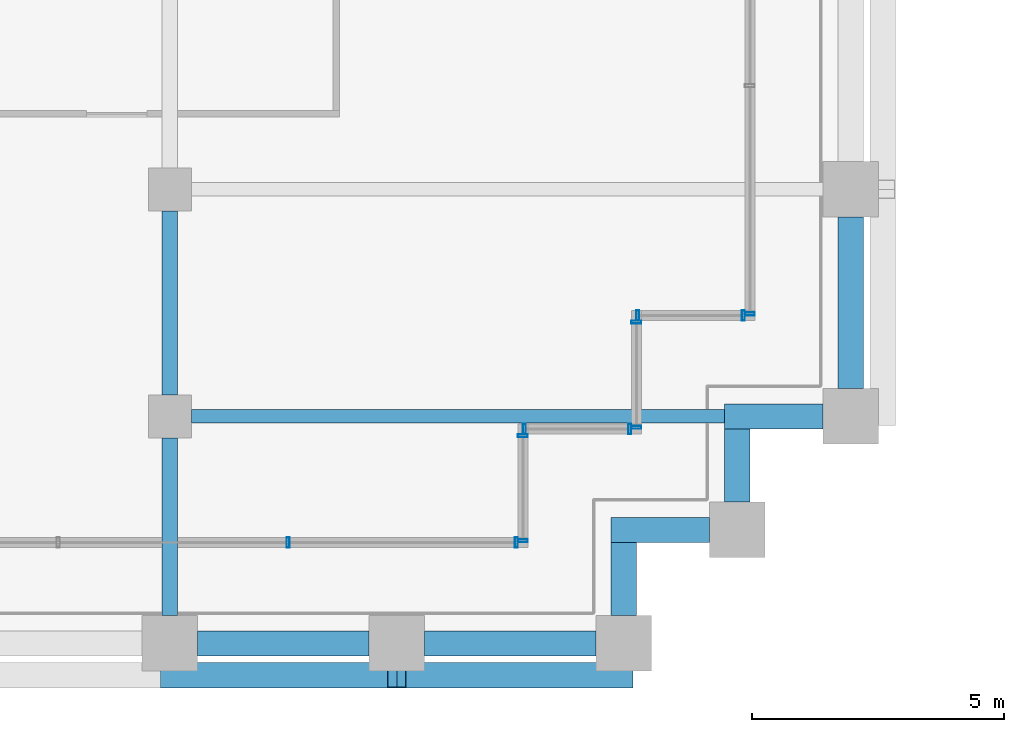
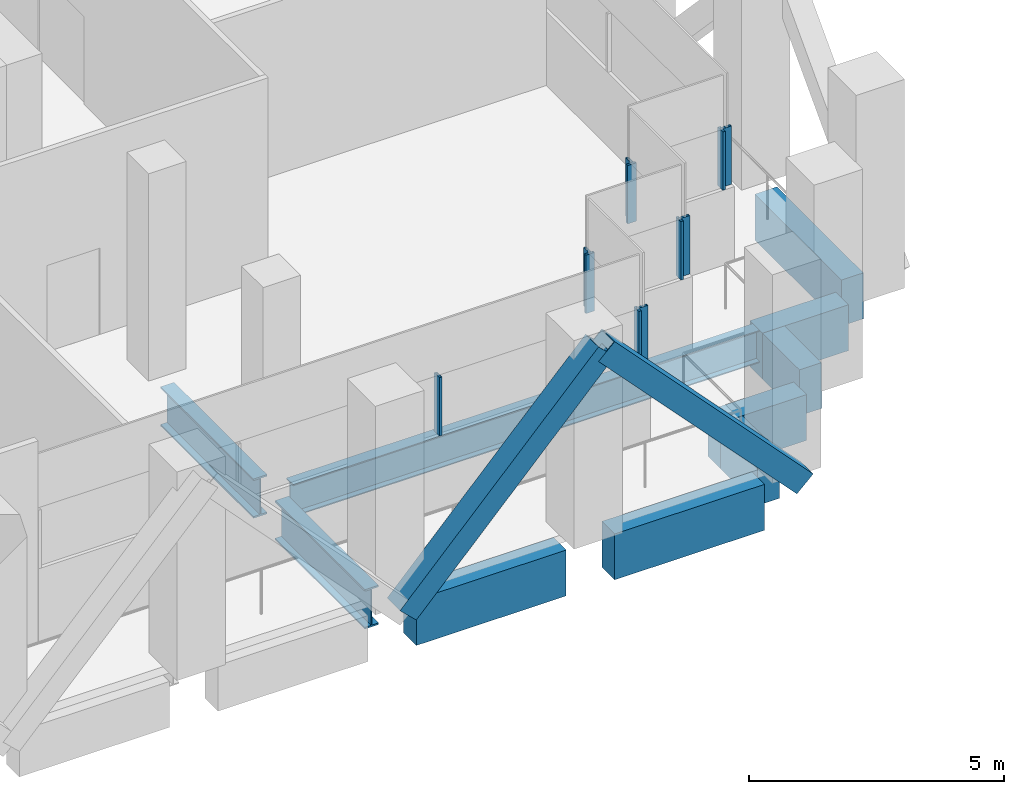
# One storey, part 10 of 44: 13 members, 10 beams, 6 elements without a shape of their own.
"""IFC4 building model written with IfcOpenShell, lengths in metres."""

from ifc_helpers import new_model, si_unit, direction, frame, origin, origin_2d, place, context, subcontext, project, spatial, rectangle, hollow_rectangle, i_section, extrude, material, material_profile, profile_set, type_object, element, aggregate, save


model = new_model("IFC4")

# Units and contexts
model_context = context("Model", 3, precision=1e-05, world=origin(), true_north=direction((0.0, 1.0)))
body_context = subcontext(model_context, "Body", "Model", "MODEL_VIEW")
ifc_project = project(units=[si_unit("LENGTHUNIT", "METRE"), si_unit("AREAUNIT", "SQUARE_METRE"), si_unit("VOLUMEUNIT", "CUBIC_METRE"), si_unit("PLANEANGLEUNIT", "RADIAN"), si_unit("MASSUNIT", "GRAM", prefix="KILO")], contexts=[model_context])

# Site, building, storey
site_placement = place(None, origin())
site = spatial("IfcSite", under=ifc_project, at=site_placement, CompositionType="ELEMENT")
building_placement = place(site_placement, origin())
building = spatial("IfcBuilding", under=site, at=building_placement, Name="Altepetl Exchange Towers", CompositionType="ELEMENT")
storey_placement = place(building_placement, frame((0.0, 0.0, 87.0)))
storey = spatial("IfcBuildingStorey", under=building, at=storey_placement, Name="L21 Refuge", CompositionType="ELEMENT", Elevation=87.0)

# Members
ifc_material_1 = material(Name="Steel S355", Category="steel")
ifc_material_profile_1 = material_profile(ifc_material_1, hollow_rectangle(XDim=0.508056640625, YDim=0.508056640625, WallThickness=0.017578125, at=origin_2d()), Name="HSS508X508X19.0")
ifc_profile_set_1 = profile_set([ifc_material_profile_1], Name="Steel S355")
member_type_1 = type_object("IfcMemberType", Name="Belt diagonal HSS508X508X19.0", PredefinedType="BRACE", material=ifc_profile_set_1)
for number, where, z_axis, x_axis, name in (
    (1, (58.5, 26.3701171875, 0.0), (0.687744647911, 0.0, 0.725952683906), (0.0, 1.0, 0.0), "brc:A:L21:006"),
    (2, (63.0, 26.3701171875, 4.75), (0.687744647911, 0.0, -0.725952683906), (0.0, 1.0, 0.0), "brc:A:L21:007"),
):
    element("IfcMember", number, at=place(storey_placement, frame(where, z_axis=z_axis, x_axis=x_axis)), inside=storey, type_object=member_type_1, Name=name, PredefinedType="BRACE", context=body_context, shape_type="SweptSolid", body=[
        extrude(hollow_rectangle(XDim=0.508056640625, YDim=0.508056640625, WallThickness=0.017578125, at=origin_2d()), origin(), (0.0, 0.0, 1.0), 6.543212890625),
    ])

# Beams
ifc_material_profile_2 = material_profile(ifc_material_1, i_section(OverallWidth=0.26806640625, OverallDepth=0.77392578125, WebThickness=0.015380859375, FlangeThickness=0.025390625, at=origin_2d()), Name="W30X132")
ifc_profile_set_2 = profile_set([ifc_material_profile_2], Name="Steel S355")
beam_type_1 = type_object("IfcBeamType", Name="Floor beam W30X132", PredefinedType="BEAM", material=ifc_profile_set_2)
beam_1_placement = place(storey_placement, frame((58.925048828125, 31.5, -0.5869140625), z_axis=(1.0, 0.0, 0.0), x_axis=(0.0, 1.0, 0.0)))
element("IfcBeam", 3, at=beam_1_placement, inside=storey, type_object=beam_type_1, Name="bm:A:L21:006", PredefinedType="BEAM", context=body_context, shape_type="SweptSolid", body=[
    extrude(i_section(OverallWidth=0.26806640625, OverallDepth=0.77392578125, WebThickness=0.015380859375, FlangeThickness=0.025390625, at=origin_2d()), origin(), (0.0, 0.0, 1.0), 10.574951171875),
])
ifc_material_profile_3 = material_profile(ifc_material_1, i_section(OverallWidth=0.30810546875, OverallDepth=0.943115234375, WebThickness=0.022216796875, FlangeThickness=0.039794921875, at=origin_2d()), Name="W36X232")
ifc_profile_set_3 = profile_set([ifc_material_profile_3], Name="Steel S355")
beam_type_2 = type_object("IfcBeamType", Name="Girder W36X232", PredefinedType="BEAM", material=ifc_profile_set_3)
beam_2_placement = place(storey_placement, frame((58.5, 35.574951171875, -0.67138671875), z_axis=(0.0, -1.0, 0.0), x_axis=(1.0, 0.0, 0.0)))
element("IfcBeam", 4, at=beam_2_placement, inside=storey, type_object=beam_type_2, Name="gd:A:L21:007", PredefinedType="BEAM", context=body_context, shape_type="SweptSolid", body=[
    extrude(i_section(OverallWidth=0.30810546875, OverallDepth=0.943115234375, WebThickness=0.022216796875, FlangeThickness=0.039794921875, at=origin_2d()), origin(), (0.0, 0.0, 1.0), 3.64990234375),
])
beam_3_placement = place(storey_placement, frame((58.5, 31.074951171875, -0.67138671875), z_axis=(0.0, -1.0, 0.0), x_axis=(1.0, 0.0, 0.0)))
element("IfcBeam", 5, at=beam_3_placement, inside=storey, type_object=beam_type_2, Name="gd:A:L21:008", PredefinedType="BEAM", context=body_context, shape_type="SweptSolid", body=[
    extrude(i_section(OverallWidth=0.30810546875, OverallDepth=0.943115234375, WebThickness=0.022216796875, FlangeThickness=0.039794921875, at=origin_2d()), origin(), (0.0, 0.0, 1.0), 3.52490234375),
])

# Curtain wall, members
ifc_material_2 = material(Name="Aluminium 6063-T6 glazing", Category="aluminium")
curtain_wall_type = type_object("IfcCurtainWallType", Name="Refuge slit glazing system", PredefinedType="NOTDEFINED", material=ifc_material_2)
curtain_wall_1_placement = place(storey_placement, origin())
curtain_wall_1 = element("IfcCurtainWall", 6, at=curtain_wall_1_placement, inside=storey, type_object=curtain_wall_type, Name="CW3 run", PredefinedType="NOTDEFINED")
ifc_material_3 = material(Name="Aluminium 6063-T6", Category="aluminium")
ifc_material_profile_4 = material_profile(ifc_material_3, hollow_rectangle(XDim=0.06005859375, YDim=0.199951171875, WallThickness=0.0029296875, at=origin_2d()), Name="Mullion 60x200 aluminium")
ifc_profile_set_4 = profile_set([ifc_material_profile_4], Name="Aluminium 6063-T6")
member_type_2 = type_object("IfcMemberType", Name="Mullion 60x200 aluminium", PredefinedType="MULLION", material=ifc_profile_set_4)
member_1_placement = place(storey_placement, frame((60.8427734375, 29.0, 1.800048828125)))
member_1 = element("IfcMember", 7, at=member_1_placement, type_object=member_type_2, Name="MU2 mullion", PredefinedType="MULLION", context=body_context, shape_type="SweptSolid", body=[
    extrude(hollow_rectangle(XDim=0.06005859375, YDim=0.199951171875, WallThickness=0.0029296875, at=origin_2d()), origin(), (0.0, 0.0, 1.0), 1.39990234375),
])
member_2_placement = place(storey_placement, frame((65.3701171875, 29.0, 1.800048828125)))
member_2 = element("IfcMember", 8, at=member_2_placement, type_object=member_type_2, Name="MU2 mullion", PredefinedType="MULLION", context=body_context, shape_type="SweptSolid", body=[
    extrude(hollow_rectangle(XDim=0.06005859375, YDim=0.199951171875, WallThickness=0.0029296875, at=origin_2d()), origin(), (0.0, 0.0, 1.0), 1.39990234375),
])
aggregate(curtain_wall_1, [member_1, member_2])

curtain_wall_2_placement = place(storey_placement, origin())
curtain_wall_2 = element("IfcCurtainWall", 9, at=curtain_wall_2_placement, inside=storey, type_object=curtain_wall_type, Name="CW3 run", PredefinedType="NOTDEFINED")
member_3_placement = place(storey_placement, frame((65.5, 29.030029296875, 1.800048828125), z_axis=(0.0, 0.0, 1.0), x_axis=(0.0, 1.0, 0.0)))
member_3 = element("IfcMember", 10, at=member_3_placement, type_object=member_type_2, Name="MU2 mullion", PredefinedType="MULLION", context=body_context, shape_type="SweptSolid", body=[
    extrude(hollow_rectangle(XDim=0.06005859375, YDim=0.199951171875, WallThickness=0.0029296875, at=origin_2d()), origin(), (0.0, 0.0, 1.0), 1.39990234375),
])
member_4_placement = place(storey_placement, frame((65.5, 31.1201171875, 1.800048828125), z_axis=(0.0, 0.0, 1.0), x_axis=(0.0, 1.0, 0.0)))
member_4 = element("IfcMember", 11, at=member_4_placement, type_object=member_type_2, Name="MU2 mullion", PredefinedType="MULLION", context=body_context, shape_type="SweptSolid", body=[
    extrude(hollow_rectangle(XDim=0.06005859375, YDim=0.199951171875, WallThickness=0.0029296875, at=origin_2d()), origin(), (0.0, 0.0, 1.0), 1.39990234375),
])
aggregate(curtain_wall_2, [member_3, member_4])

curtain_wall_3_placement = place(storey_placement, origin())
curtain_wall_3 = element("IfcCurtainWall", 12, at=curtain_wall_3_placement, inside=storey, type_object=curtain_wall_type, Name="CW3 run", PredefinedType="NOTDEFINED")
member_5_placement = place(storey_placement, frame((65.530029296875, 31.25, 1.800048828125)))
member_5 = element("IfcMember", 13, at=member_5_placement, type_object=member_type_2, Name="MU2 mullion", PredefinedType="MULLION", context=body_context, shape_type="SweptSolid", body=[
    extrude(hollow_rectangle(XDim=0.06005859375, YDim=0.199951171875, WallThickness=0.0029296875, at=origin_2d()), origin(), (0.0, 0.0, 1.0), 1.39990234375),
])
member_6_placement = place(storey_placement, frame((67.6201171875, 31.25, 1.800048828125)))
member_6 = element("IfcMember", 14, at=member_6_placement, type_object=member_type_2, Name="MU2 mullion", PredefinedType="MULLION", context=body_context, shape_type="SweptSolid", body=[
    extrude(hollow_rectangle(XDim=0.06005859375, YDim=0.199951171875, WallThickness=0.0029296875, at=origin_2d()), origin(), (0.0, 0.0, 1.0), 1.39990234375),
])
aggregate(curtain_wall_3, [member_5, member_6])

curtain_wall_4_placement = place(storey_placement, origin())
curtain_wall_4 = element("IfcCurtainWall", 15, at=curtain_wall_4_placement, inside=storey, type_object=curtain_wall_type, Name="CW3 run", PredefinedType="NOTDEFINED")
member_7_placement = place(storey_placement, frame((67.75, 31.280029296875, 1.800048828125), z_axis=(0.0, 0.0, 1.0), x_axis=(0.0, 1.0, 0.0)))
member_7 = element("IfcMember", 16, at=member_7_placement, type_object=member_type_2, Name="MU2 mullion", PredefinedType="MULLION", context=body_context, shape_type="SweptSolid", body=[
    extrude(hollow_rectangle(XDim=0.06005859375, YDim=0.199951171875, WallThickness=0.0029296875, at=origin_2d()), origin(), (0.0, 0.0, 1.0), 1.39990234375),
])
member_8_placement = place(storey_placement, frame((67.75, 33.3701171875, 1.800048828125), z_axis=(0.0, 0.0, 1.0), x_axis=(0.0, 1.0, 0.0)))
member_8 = element("IfcMember", 17, at=member_8_placement, type_object=member_type_2, Name="MU2 mullion", PredefinedType="MULLION", context=body_context, shape_type="SweptSolid", body=[
    extrude(hollow_rectangle(XDim=0.06005859375, YDim=0.199951171875, WallThickness=0.0029296875, at=origin_2d()), origin(), (0.0, 0.0, 1.0), 1.39990234375),
])
aggregate(curtain_wall_4, [member_7, member_8])

curtain_wall_5_placement = place(storey_placement, origin())
curtain_wall_5 = element("IfcCurtainWall", 18, at=curtain_wall_5_placement, inside=storey, type_object=curtain_wall_type, Name="CW3 run", PredefinedType="NOTDEFINED")
member_9_placement = place(storey_placement, frame((67.780029296875, 33.5, 1.800048828125)))
member_9 = element("IfcMember", 19, at=member_9_placement, type_object=member_type_2, Name="MU2 mullion", PredefinedType="MULLION", context=body_context, shape_type="SweptSolid", body=[
    extrude(hollow_rectangle(XDim=0.06005859375, YDim=0.199951171875, WallThickness=0.0029296875, at=origin_2d()), origin(), (0.0, 0.0, 1.0), 1.39990234375),
])
member_10_placement = place(storey_placement, frame((69.8701171875, 33.5, 1.800048828125)))
member_10 = element("IfcMember", 20, at=member_10_placement, type_object=member_type_2, Name="MU2 mullion", PredefinedType="MULLION", context=body_context, shape_type="SweptSolid", body=[
    extrude(hollow_rectangle(XDim=0.06005859375, YDim=0.199951171875, WallThickness=0.0029296875, at=origin_2d()), origin(), (0.0, 0.0, 1.0), 1.39990234375),
])
aggregate(curtain_wall_5, [member_9, member_10])

# Curtain wall, member
curtain_wall_6_placement = place(storey_placement, origin())
curtain_wall_6 = element("IfcCurtainWall", 21, at=curtain_wall_6_placement, inside=storey, type_object=curtain_wall_type, Name="CW3 run", PredefinedType="NOTDEFINED")
member_11_placement = place(storey_placement, frame((70.0, 33.530029296875, 1.800048828125), z_axis=(0.0, 0.0, 1.0), x_axis=(0.0, 1.0, 0.0)))
member_11 = element("IfcMember", 22, at=member_11_placement, type_object=member_type_2, Name="MU2 mullion", PredefinedType="MULLION", context=body_context, shape_type="SweptSolid", body=[
    extrude(hollow_rectangle(XDim=0.06005859375, YDim=0.199951171875, WallThickness=0.0029296875, at=origin_2d()), origin(), (0.0, 0.0, 1.0), 1.39990234375),
])
aggregate(curtain_wall_6, [member_11])

# Beams
ifc_material_4 = material(Name="Concrete C50/60 precast with cantera amarilla facing", Category="concrete")
ifc_material_profile_5 = material_profile(ifc_material_4, rectangle(XDim=0.5, YDim=1.10009765625, at=origin_2d()), Name="500 x 1100")
ifc_profile_set_5 = profile_set([ifc_material_profile_5], Name="Concrete C50/60 precast with cantera amarilla facing")
beam_type_3 = type_object("IfcBeamType", Name="Spandrel beam 500x1100 cantera amarilla", PredefinedType="SPANDREL", material=ifc_profile_set_5)
for number, where, z_axis, x_axis, name in (
    (23, (59.050048828125, 27.0, -0.75), (1.0, 0.0, 0.0), (0.0, 1.0, 0.0), "sp:A:L21:006"),
    (24, (63.550048828125, 27.0, -0.75), (1.0, 0.0, 0.0), (0.0, 1.0, 0.0), "sp:A:L21:007"),
):
    element("IfcBeam", number, at=place(storey_placement, frame(where, z_axis=z_axis, x_axis=x_axis)), inside=storey, type_object=beam_type_3, Name=name, PredefinedType="SPANDREL", context=body_context, shape_type="SweptSolid", body=[
        extrude(rectangle(XDim=0.5, YDim=1.10009765625, at=origin_2d()), origin(), (0.0, 0.0, 1.0), 3.39990234375),
    ])
beam_4_placement = place(storey_placement, frame((67.5, 27.550048828125, -0.75), z_axis=(0.0, 1.0, 0.0), x_axis=(-1.0, 0.0, 0.0)))
element("IfcBeam", 25, at=beam_4_placement, inside=storey, type_object=beam_type_3, Name="sp:A:L21:008", PredefinedType="SPANDREL", context=body_context, shape_type="SweptSolid", body=[
    extrude(rectangle(XDim=0.5, YDim=1.10009765625, at=origin_2d()), origin(), (0.0, 0.0, 1.0), 1.449951171875),
])
beam_5_placement = place(storey_placement, frame((67.25, 29.25, -0.75), z_axis=(1.0, 0.0, 0.0), x_axis=(0.0, 1.0, 0.0)))
element("IfcBeam", 26, at=beam_5_placement, inside=storey, type_object=beam_type_3, Name="sp:A:L21:009", PredefinedType="SPANDREL", context=body_context, shape_type="SweptSolid", body=[
    extrude(rectangle(XDim=0.5, YDim=1.10009765625, at=origin_2d()), origin(), (0.0, 0.0, 1.0), 1.949951171875),
])
beam_6_placement = place(storey_placement, frame((69.75, 29.800048828125, -0.75), z_axis=(0.0, 1.0, 0.0), x_axis=(-1.0, 0.0, 0.0)))
element("IfcBeam", 27, at=beam_6_placement, inside=storey, type_object=beam_type_3, Name="sp:A:L21:010", PredefinedType="SPANDREL", context=body_context, shape_type="SweptSolid", body=[
    extrude(rectangle(XDim=0.5, YDim=1.10009765625, at=origin_2d()), origin(), (0.0, 0.0, 1.0), 1.449951171875),
])
beam_7_placement = place(storey_placement, frame((69.5, 31.5, -0.75), z_axis=(1.0, 0.0, 0.0), x_axis=(0.0, 1.0, 0.0)))
element("IfcBeam", 28, at=beam_7_placement, inside=storey, type_object=beam_type_3, Name="sp:A:L21:011", PredefinedType="SPANDREL", context=body_context, shape_type="SweptSolid", body=[
    extrude(rectangle(XDim=0.5, YDim=1.10009765625, at=origin_2d()), origin(), (0.0, 0.0, 1.0), 1.949951171875),
])
beam_8_placement = place(storey_placement, frame((72.0, 32.050048828125, -0.75), z_axis=(0.0, 1.0, 0.0), x_axis=(-1.0, 0.0, 0.0)))
element("IfcBeam", 29, at=beam_8_placement, inside=storey, type_object=beam_type_3, Name="sp:A:L21:012", PredefinedType="SPANDREL", context=body_context, shape_type="SweptSolid", body=[
    extrude(rectangle(XDim=0.5, YDim=1.10009765625, at=origin_2d()), origin(), (0.0, 0.0, 1.0), 3.39990234375),
])

save(model, "model.ifc")
